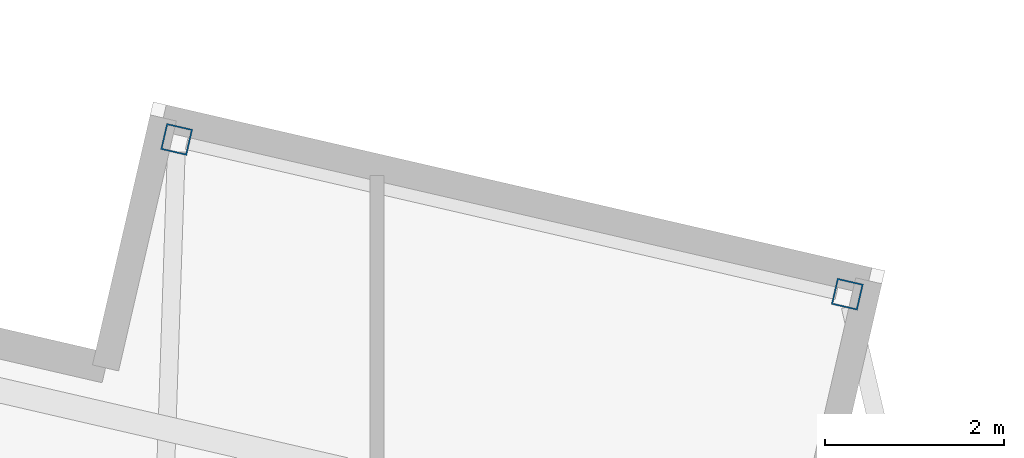
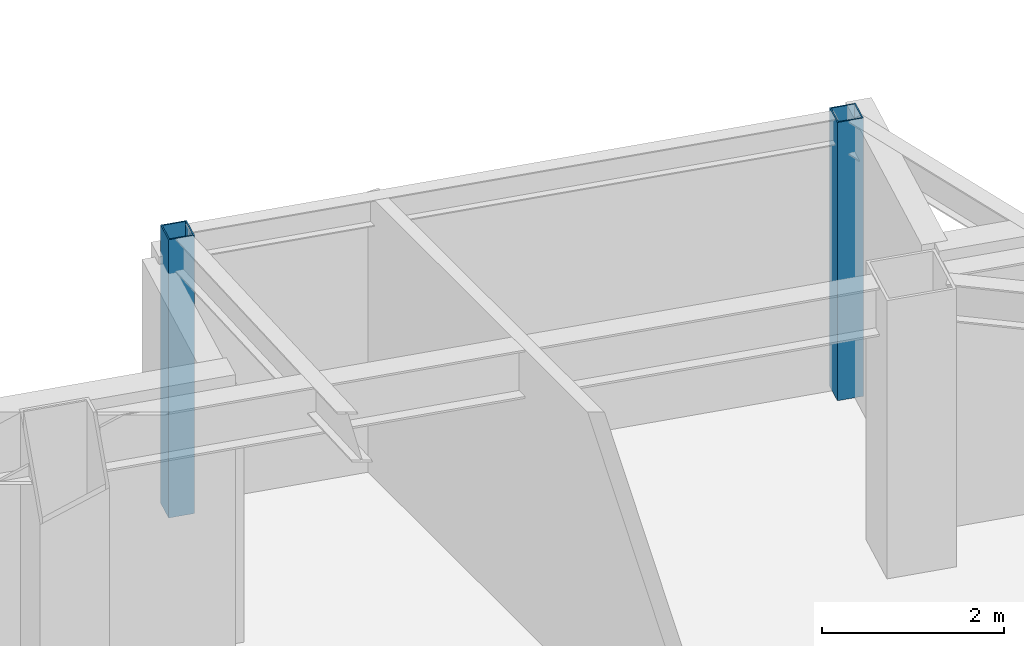
# One storey, part 2 of 21: 2 columns.
"""IFC4 building model written with IfcOpenShell, lengths in metres."""

import ifcopenshell
import ifcopenshell.guid

model = None  # the IFC model being written
_history = None  # IfcOwnerHistory: only IFC2X3 demands one
_inside = {}  # id of a spatial element -> (the spatial element, [elements in it])
_under = {}  # id of a project, library or spatial element -> (it, [spatial elements below it])
_declared = {}  # id of a project -> (the project, [libraries it declares])
_typed = {}  # id of a type object -> (the type object, [elements of that type])
_made_of = {}  # id of a material, layer set ... -> (it, [elements and type objects made of it])


def new_model(schema):
    """Start an empty IFC model of exactly this schema.

    Asked for "IFC4X3", IfcOpenShell would pick the latest addendum, in which some entities
    have other attributes; the version numbers below select the first issue.
    IFC2X3 requires an IfcOwnerHistory on every rooted entity: one is made here for all.
    """
    global model, _history
    if schema == "IFC4X3":
        model = ifcopenshell.file(schema_version=(4, 3, 0, 0))
    else:
        model = ifcopenshell.file(schema=schema)
    _inside.clear()
    _under.clear()
    _declared.clear()
    _typed.clear()
    _made_of.clear()
    _history = None
    if model.schema == "IFC2X3":
        org = make("IfcOrganization", Name="unknown")
        user = make(
            "IfcPersonAndOrganization",
            ThePerson=make("IfcPerson", FamilyName="unknown"),
            TheOrganization=org,
        )
        app = make(
            "IfcApplication",
            ApplicationDeveloper=org,
            Version="unknown",
            ApplicationFullName="unknown",
            ApplicationIdentifier="unknown",
        )
        _history = make(
            "IfcOwnerHistory",
            OwningUser=user,
            OwningApplication=app,
            ChangeAction="ADDED",
            CreationDate=0,
        )
    return model


def make(cls, **values):
    """One entity of the class cls with the attributes given. An attribute that is None is left unset."""
    return model.create_entity(
        cls, **{name: value for name, value in values.items() if value is not None}
    )


def rooted(cls, **values):
    """An entity with a GlobalId (a new one), such as an element, a storey or a relation."""
    return make(cls, GlobalId=ifcopenshell.guid.new(), OwnerHistory=_history, **values)


def si_unit(unit_type, name, prefix=None):
    """IfcSIUnit, for example si_unit("LENGTHUNIT", "METRE", prefix="MILLI")."""
    return make("IfcSIUnit", UnitType=unit_type, Prefix=prefix, Name=name)


def assignment(units):
    """IfcUnitAssignment: the units of a project."""
    return None if units is None else make("IfcUnitAssignment", Units=units)


def point(xyz):
    """IfcCartesianPoint."""
    return None if xyz is None else make("IfcCartesianPoint", Coordinates=xyz)


def direction(xyz):
    """IfcDirection."""
    return None if xyz is None else make("IfcDirection", DirectionRatios=xyz)


def frame(location, z_axis=None, x_axis=None):
    """IfcAxis2Placement3D, a coordinate frame: its origin and axes. An axis left out is left unset."""
    return make(
        "IfcAxis2Placement3D",
        Location=point(location),
        Axis=direction(z_axis),
        RefDirection=direction(x_axis),
    )


def frame_2d(location, x_axis=None):
    """IfcAxis2Placement2D, a coordinate frame in the plane: its origin and x axis."""
    return make(
        "IfcAxis2Placement2D", Location=point(location), RefDirection=direction(x_axis)
    )


def origin():
    """The frame at (0, 0, 0) with its axes left unset."""
    return frame((0.0, 0.0, 0.0))


def origin_2d():
    """The frame at (0, 0) in the plane with its x axis left unset."""
    return frame_2d((0.0, 0.0))


def place(relative_to, where):
    """IfcLocalPlacement: puts the frame where relative to a parent placement (None: the world)."""
    return make(
        "IfcLocalPlacement", PlacementRelTo=relative_to, RelativePlacement=where
    )


def context(
    kind, dimensions, precision=None, world=None, true_north=None, identifier=None
):
    """IfcGeometricRepresentationContext, for example the 3D "Model" context."""
    return make(
        "IfcGeometricRepresentationContext",
        ContextIdentifier=identifier,
        ContextType=kind,
        CoordinateSpaceDimension=dimensions,
        Precision=precision,
        WorldCoordinateSystem=world,
        TrueNorth=true_north,
    )


def subcontext(parent, identifier, kind, view, scale=None):
    """IfcGeometricRepresentationSubContext, for example "Body" below "Model"."""
    return make(
        "IfcGeometricRepresentationSubContext",
        ContextIdentifier=identifier,
        ContextType=kind,
        ParentContext=parent,
        TargetScale=scale,
        TargetView=view,
    )


def project(units=None, contexts=None):
    """IfcProject with its units and contexts."""
    return rooted(
        "IfcProject",
        Name="project",
        RepresentationContexts=contexts,
        UnitsInContext=assignment(units),
    )


def spatial(cls, under=None, at=None, **own):
    """A site, building, storey or space (cls), placed at a placement, below another one or the project."""
    s = rooted(cls, ObjectPlacement=at, **own)
    if under is not None:
        _under.setdefault(under.id(), (under, []))[1].append(s)
    return s


def profile(cls, at=None, kind="AREA", **sizes):
    """A parametric profile (cls). Its sizes go by their IFC names, for example OverallWidth=200.0."""
    return make(cls, ProfileType=kind, Position=at, **sizes)


def hollow_rectangle(**sizes):
    """IfcRectangleHollowProfileDef."""
    return profile("IfcRectangleHollowProfileDef", **sizes)


def extrude(swept, where, along, depth):
    """IfcExtrudedAreaSolid: the profile swept, set in the frame where, extruded along a direction by depth."""
    return make(
        "IfcExtrudedAreaSolid",
        SweptArea=swept,
        Position=where,
        ExtrudedDirection=direction(along),
        Depth=depth,
    )


def shape(context_of_items, identifier, shape_type, items):
    """IfcShapeRepresentation: the items that make up one representation, for example the "Body"."""
    return make(
        "IfcShapeRepresentation",
        ContextOfItems=context_of_items,
        RepresentationIdentifier=identifier,
        RepresentationType=shape_type,
        Items=items,
    )


def material(Name=None, Category=None):
    """IfcMaterial."""
    return make("IfcMaterial", Name=Name, Category=Category)


def material_profile(
    of_material, cross_section, Name=None, Category=None, Priority=None
):
    """IfcMaterialProfile: a cross section and its material."""
    return make(
        "IfcMaterialProfile",
        Name=Name,
        Material=of_material,
        Profile=cross_section,
        Priority=Priority,
        Category=Category,
    )


def profile_set(profiles, Name=None, composite=None):
    """IfcMaterialProfileSet."""
    return make(
        "IfcMaterialProfileSet",
        Name=Name,
        MaterialProfiles=profiles,
        CompositeProfile=composite,
    )


def made_of(thing, what):
    """Note that an element or type object is made of a material, layer set ...; save() writes the relation."""
    if what is not None:
        _made_of.setdefault(what.id(), (what, []))[1].append(thing)
    return thing


def type_object(cls, material=None, **own):
    """A type object (cls), such as IfcWallType, which elements share."""
    return made_of(rooted(cls, **own), material)


def element(
    cls,
    number,
    at=None,
    inside=None,
    cuts=None,
    type_object=None,
    material=None,
    context=None,
    identifier="Body",
    shape_type=None,
    held_by="IfcProductDefinitionShape",
    body=None,
    shapes=None,
    **own,
):
    """One element of the class cls, such as IfcWall. Its Tag is "e" and its number.

    at: its placement. inside: the storey or other place that contains it. cuts: it is an
    opening in that element (IfcRelVoidsElement). A single representation is given by context,
    identifier, shape_type and body (its items); several are given by shapes. held_by: the class
    of the entity that holds the representations. save() writes the other relations.
    """
    e = rooted(cls, Tag="e%d" % number, ObjectPlacement=at, **own)
    if body is not None:
        shapes = [shape(context, identifier, shape_type, body)]
    if shapes is not None:
        e.Representation = make(held_by, Representations=shapes)
    if inside is not None:
        _inside.setdefault(inside.id(), (inside, []))[1].append(e)
    if cuts is not None:
        rooted(
            "IfcRelVoidsElement", RelatingBuildingElement=cuts, RelatedOpeningElement=e
        )
    if type_object is not None:
        _typed.setdefault(type_object.id(), (type_object, []))[1].append(e)
    return made_of(e, material)


def aggregate(whole, parts):
    """IfcRelAggregates: a whole, such as a stair, and the parts it consists of."""
    return rooted("IfcRelAggregates", RelatingObject=whole, RelatedObjects=parts)


def save(model, path):
    """Write the relations noted so far, then the file.

    IfcRelAggregates (storeys below a building ...), IfcRelContainedInSpatialStructure (elements
    in a storey), IfcRelDefinesByType, IfcRelAssociatesMaterial and IfcRelDeclares: one each for
    every whole, place, type object, material and project.
    """
    for whole, parts in _under.values():
        aggregate(whole, parts)
    for where, things in _inside.values():
        rooted(
            "IfcRelContainedInSpatialStructure",
            RelatedElements=things,
            RelatingStructure=where,
        )
    for kind, things in _typed.values():
        rooted("IfcRelDefinesByType", RelatedObjects=things, RelatingType=kind)
    for what, things in _made_of.values():
        rooted("IfcRelAssociatesMaterial", RelatedObjects=things, RelatingMaterial=what)
    for by, libraries in _declared.values():
        rooted("IfcRelDeclares", RelatingContext=by, RelatedDefinitions=libraries)
    model.write(path)


model = new_model("IFC4")

# Units and contexts
model_context = context("Model", 3, precision=1e-05, world=origin(), true_north=direction((0.0, 1.0)))
body_context = subcontext(model_context, "Body", "Model", "MODEL_VIEW")
ifc_project = project(units=[si_unit("LENGTHUNIT", "METRE"), si_unit("AREAUNIT", "SQUARE_METRE"), si_unit("VOLUMEUNIT", "CUBIC_METRE"), si_unit("PLANEANGLEUNIT", "RADIAN"), si_unit("MASSUNIT", "GRAM", prefix="KILO")], contexts=[model_context])

# Site, building, storey
site_placement = place(None, origin())
site = spatial("IfcSite", under=ifc_project, at=site_placement, CompositionType="ELEMENT")
building_placement = place(site_placement, origin())
building = spatial("IfcBuilding", under=site, at=building_placement, Name="Tavrogorsk Clinical Tower", CompositionType="ELEMENT")
storey_placement = place(building_placement, frame((0.0, 0.0, 71.39990234375)))
storey = spatial("IfcBuildingStorey", under=building, at=storey_placement, Name="L15", CompositionType="ELEMENT", Elevation=71.39990234375)

# Columns
ifc_material = material(Name="Structural steel S390", Category="steel")
ifc_material_profile = material_profile(ifc_material, hollow_rectangle(XDim=0.300048828125, YDim=0.300048828125, WallThickness=0.01611328125, at=origin_2d()), Name="SHS-300x300x16")
ifc_profile_set = profile_set([ifc_material_profile], Name="Structural steel S390")
column_type = type_object("IfcColumnType", Name="DayroomCol_SHS300", PredefinedType="COLUMN", material=ifc_profile_set)
for number, where, z_axis, x_axis, name in (
    (1, (10.887939453125, 23.971435546875, 0.0), (0.0, 0.0, 1.0), (0.974370064785, -0.224951054344, 0.0), "L15 Day-Room Box Column DRB-02-L"),
    (2, (18.390625, 22.2392578125, 0.0), (0.0, 0.0, 1.0), (0.974370064785, -0.224951054344, 0.0), "L15 Day-Room Box Column DRB-02-R"),
):
    element("IfcColumn", number, at=place(storey_placement, frame(where, z_axis=z_axis, x_axis=x_axis)), inside=storey, type_object=column_type, Name=name, PredefinedType="COLUMN", context=body_context, shape_type="SweptSolid", body=[
        extrude(hollow_rectangle(XDim=0.300048828125, YDim=0.300048828125, WallThickness=0.01611328125, at=origin_2d()), origin(), (0.0, 0.0, 1.0), 3.739990234375),
    ])

save(model, "model.ifc")
